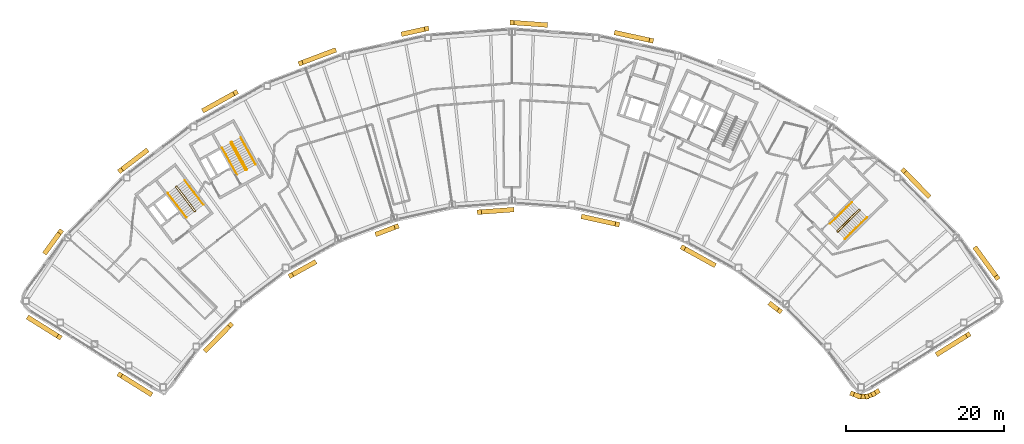
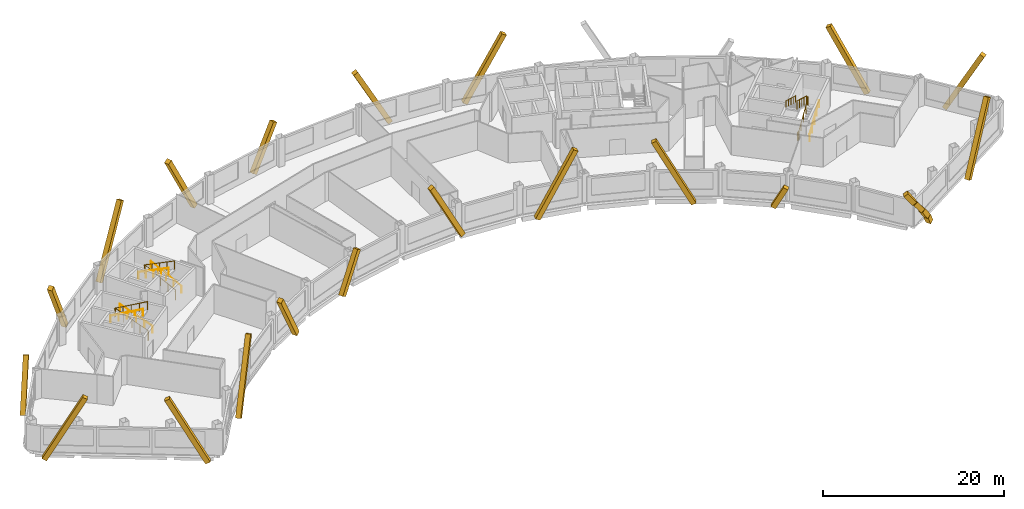
# One storey, part 12 of 13: 23 coverings, 9 railings.
"""IFC4 building model written with IfcOpenShell, lengths in metres."""

from ifc_helpers import new_model, si_unit, direction, frame, origin, origin_2d, place, context, subcontext, project, spatial, rectangle, circle, extrude, material, material_profile, profile_set, type_object, element, save


model = new_model("IFC4")

# Units and contexts
model_context = context("Model", 3, precision=1e-05, world=origin(), true_north=direction((0.0, 1.0)))
body_context = subcontext(model_context, "Body", "Model", "MODEL_VIEW")
ifc_project = project(units=[si_unit("LENGTHUNIT", "METRE"), si_unit("AREAUNIT", "SQUARE_METRE"), si_unit("VOLUMEUNIT", "CUBIC_METRE"), si_unit("PLANEANGLEUNIT", "RADIAN"), si_unit("MASSUNIT", "GRAM", prefix="KILO")], contexts=[model_context])

# Site, building, storey
site_placement = place(None, origin())
site = spatial("IfcSite", under=ifc_project, at=site_placement, CompositionType="ELEMENT")
building_placement = place(site_placement, origin())
building = spatial("IfcBuilding", under=site, at=building_placement, Name="Tuul Gate Civic Tower", CompositionType="ELEMENT")
storey_placement = place(building_placement, frame((0.0, 0.0, 302.60009765625)))
storey = spatial("IfcBuildingStorey", under=building, at=storey_placement, Name="Level 68", CompositionType="ELEMENT", Elevation=302.60009765625)

# Railings
ifc_material_1 = material(Name="Painted steel", Category="steel")
railing_type_1 = type_object("IfcRailingType", Name="Stair guard", PredefinedType="GUARDRAIL", material=ifc_material_1)
railing_1_placement = place(storey_placement, frame((-33.382080078125, -13.515380859375, 0.0)))
element("IfcRailing", 1, at=railing_1_placement, inside=storey, type_object=railing_type_1, Name="Level 68 ST-1 stair guard 1", PredefinedType="GUARDRAIL", context=body_context, shape_type="SweptSolid", body=[
    extrude(circle(Radius=0.02392578125, at=origin_2d()), frame((0.0, 0.0, 1.076171875), z_axis=(-0.795879841968, -0.605454603706, 0.0), x_axis=(0.605454603706, -0.795879841968, 0.0)), (0.0, 0.0, 1.0), 0.10009765625),
    extrude(circle(Radius=0.02392578125, at=origin_2d()), frame((-0.07958984375, -0.060546875, 1.076171875), z_axis=(0.408991890351, 0.599481263939, 0.688002796371), x_axis=(-0.826063974707, 0.563576356576, 0.0)), (0.0, 0.0, 1.0), 0.2177734375),
    extrude(circle(Radius=0.02392578125, at=origin_2d()), frame((0.009521484375, 0.070068359375, 1.22607421875), z_axis=(-0.541824460341, 0.711645023348, 0.447199748346), x_axis=(-0.795637165283, -0.60577347352, 0.0)), (0.0, 0.0, 1.0), 4.3603515625),
    extrude(circle(Radius=0.02392578125, at=origin_2d()), frame((-2.35302734375, 3.173095703125, 3.17578125), z_axis=(-0.990893089246, 0.134650977284, 0.0), x_axis=(-0.134650977284, -0.990893089246, 0.0)), (0.0, 0.0, 1.0), 0.07080078125),
    extrude(circle(Radius=0.02392578125, at=origin_2d()), frame((-2.423095703125, 3.1826171875, 3.17578125), z_axis=(-0.793802879778, -0.60817512943, 0.0), x_axis=(0.60817512943, -0.793802879778, 0.0)), (0.0, 0.0, 1.0), 0.099853515625),
    extrude(circle(Radius=0.02392578125, at=origin_2d()), frame((-2.50244140625, 3.121826171875, 3.17578125), z_axis=(-0.057370624079, -0.422188951554, 0.904690610473), x_axis=(0.990893089246, -0.134650977284, 0.0)), (0.0, 0.0, 1.0), 0.166015625),
    extrude(circle(Radius=0.02392578125, at=origin_2d()), frame((-2.511962890625, 3.0517578125, 3.326171875), z_axis=(0.541806494602, -0.71163897684, 0.447231136047), x_axis=(0.795644365679, 0.605764016233, 0.0)), (0.0, 0.0, 1.0), 4.360107421875),
    extrude(circle(Radius=0.02099609375, at=origin_2d()), origin(), (0.0, 0.0, 1.0), 1.052001953125),
    extrude(circle(Radius=0.02099609375, at=origin_2d()), frame((-0.07958984375, -0.060546875, 0.0)), (0.0, 0.0, 1.0), 1.052001953125),
    extrude(circle(Radius=0.02099609375, at=origin_2d()), frame((0.009521484375, 0.070068359375, 0.14990234375)), (0.0, 0.0, 1.0), 1.052001953125),
    extrude(circle(Radius=0.02099609375, at=origin_2d()), frame((-0.5810546875, 0.845703125, 0.637451171875)), (0.0, 0.0, 1.0), 1.052001953125),
    extrude(circle(Radius=0.02099609375, at=origin_2d()), frame((-1.171875, 1.62158203125, 1.125)), (0.0, 0.0, 1.0), 1.052001953125),
    extrude(circle(Radius=0.02099609375, at=origin_2d()), frame((-1.762451171875, 2.3974609375, 1.6123046875)), (0.0, 0.0, 1.0), 1.052001953125),
    extrude(circle(Radius=0.02099609375, at=origin_2d()), frame((-2.35302734375, 3.173095703125, 2.099853515625)), (0.0, 0.0, 1.0), 1.052001953125),
    extrude(circle(Radius=0.02099609375, at=origin_2d()), frame((-2.423095703125, 3.1826171875, 2.099853515625)), (0.0, 0.0, 1.0), 1.052001953125),
    extrude(circle(Radius=0.02099609375, at=origin_2d()), frame((-2.50244140625, 3.121826171875, 2.099853515625)), (0.0, 0.0, 1.0), 1.052001953125),
    extrude(circle(Radius=0.02099609375, at=origin_2d()), frame((-2.511962890625, 3.0517578125, 2.25)), (0.0, 0.0, 1.0), 1.052001953125),
    extrude(circle(Radius=0.02099609375, at=origin_2d()), frame((-1.92138671875, 2.276123046875, 2.737548828125)), (0.0, 0.0, 1.0), 1.052001953125),
    extrude(circle(Radius=0.02099609375, at=origin_2d()), frame((-1.330810546875, 1.50048828125, 3.22509765625)), (0.0, 0.0, 1.0), 1.052001953125),
    extrude(circle(Radius=0.02099609375, at=origin_2d()), frame((-0.740234375, 0.724609375, 3.71240234375)), (0.0, 0.0, 1.0), 1.052001953125),
    extrude(circle(Radius=0.02099609375, at=origin_2d()), frame((-0.149658203125, -0.051025390625, 4.199951171875)), (0.0, 0.0, 1.0), 1.052001953125),
])
railing_2_placement = place(storey_placement, frame((-26.857666015625, -8.247314453125, 0.0)))
element("IfcRailing", 2, at=railing_2_placement, inside=storey, type_object=railing_type_1, Name="Level 68 ST-2 stair guard 1", PredefinedType="GUARDRAIL", context=body_context, shape_type="SweptSolid", body=[
    extrude(circle(Radius=0.02392578125, at=origin_2d()), frame((0.0, 0.0, 1.076171875), z_axis=(-0.874616555828, -0.48481530532, 0.0), x_axis=(0.48481530532, -0.874616555828, 0.0)), (0.0, 0.0, 1.0), 0.10009765625),
    extrude(circle(Radius=0.02392578125, at=origin_2d()), frame((-0.087646484375, -0.048583984375, 1.076171875), z_axis=(0.49081399482, 0.534516610797, 0.688036056665), x_axis=(-0.736576986774, 0.676353711126, 0.0)), (0.0, 0.0, 1.0), 0.2177734375),
    extrude(circle(Radius=0.02392578125, at=origin_2d()), frame((0.019287109375, 0.06787109375, 1.22607421875), z_axis=(-0.43354991378, 0.782327185242, 0.447212083348), x_axis=(-0.874667644053, -0.484723129681, 0.0)), (0.0, 0.0, 1.0), 4.3603515625),
    extrude(circle(Radius=0.02392578125, at=origin_2d()), frame((-1.87109375, 3.47900390625, 3.17578125), z_axis=(-0.961263487578, 0.275631107549, 0.0), x_axis=(-0.275631107549, -0.961263487578, 0.0)), (0.0, 0.0, 1.0), 0.07080078125),
    extrude(circle(Radius=0.02392578125, at=origin_2d()), frame((-1.939208984375, 3.49853515625, 3.17578125), z_axis=(-0.874042088414, -0.485850211157, 0.0), x_axis=(0.485850211157, -0.874042088414, 0.0)), (0.0, 0.0, 1.0), 0.10009765625),
    extrude(circle(Radius=0.02392578125, at=origin_2d()), frame((-2.026611328125, 3.449951171875, 3.17578125), z_axis=(-0.117709570447, -0.409040757305, 0.904892322815), x_axis=(0.961000426733, -0.276546885391, 0.0)), (0.0, 0.0, 1.0), 0.166015625),
    extrude(circle(Radius=0.02392578125, at=origin_2d()), frame((-2.046142578125, 3.382080078125, 3.326171875), z_axis=(0.433595379963, -0.782308193291, 0.447201226726), x_axis=(0.874641102302, 0.484771020343, 0.0)), (0.0, 0.0, 1.0), 4.3603515625),
    extrude(circle(Radius=0.02099609375, at=origin_2d()), origin(), (0.0, 0.0, 1.0), 1.052001953125),
    extrude(circle(Radius=0.02099609375, at=origin_2d()), frame((-0.087646484375, -0.048583984375, 0.0)), (0.0, 0.0, 1.0), 1.052001953125),
    extrude(circle(Radius=0.02099609375, at=origin_2d()), frame((0.019287109375, 0.06787109375, 0.14990234375)), (0.0, 0.0, 1.0), 1.052001953125),
    extrude(circle(Radius=0.02099609375, at=origin_2d()), frame((-0.453369140625, 0.920654296875, 0.637451171875)), (0.0, 0.0, 1.0), 1.052001953125),
    extrude(circle(Radius=0.02099609375, at=origin_2d()), frame((-0.92578125, 1.7734375, 1.125)), (0.0, 0.0, 1.0), 1.052001953125),
    extrude(circle(Radius=0.02099609375, at=origin_2d()), frame((-1.3984375, 2.626220703125, 1.6123046875)), (0.0, 0.0, 1.0), 1.052001953125),
    extrude(circle(Radius=0.02099609375, at=origin_2d()), frame((-1.87109375, 3.47900390625, 2.099853515625)), (0.0, 0.0, 1.0), 1.052001953125),
    extrude(circle(Radius=0.02099609375, at=origin_2d()), frame((-1.939208984375, 3.49853515625, 2.099853515625)), (0.0, 0.0, 1.0), 1.052001953125),
    extrude(circle(Radius=0.02099609375, at=origin_2d()), frame((-2.026611328125, 3.449951171875, 2.099853515625)), (0.0, 0.0, 1.0), 1.052001953125),
    extrude(circle(Radius=0.02099609375, at=origin_2d()), frame((-2.046142578125, 3.382080078125, 2.25)), (0.0, 0.0, 1.0), 1.052001953125),
    extrude(circle(Radius=0.02099609375, at=origin_2d()), frame((-1.573486328125, 2.529296875, 2.737548828125)), (0.0, 0.0, 1.0), 1.052001953125),
    extrude(circle(Radius=0.02099609375, at=origin_2d()), frame((-1.100830078125, 1.676513671875, 3.22509765625)), (0.0, 0.0, 1.0), 1.052001953125),
    extrude(circle(Radius=0.02099609375, at=origin_2d()), frame((-0.628173828125, 0.82373046875, 3.71240234375)), (0.0, 0.0, 1.0), 1.052001953125),
    extrude(circle(Radius=0.02099609375, at=origin_2d()), frame((-0.155517578125, -0.029052734375, 4.199951171875)), (0.0, 0.0, 1.0), 1.052001953125),
])
railing_3_placement = place(storey_placement, frame((48.10546875, -16.134765625, 0.0)))
element("IfcRailing", 3, at=railing_3_placement, inside=storey, type_object=railing_type_1, Name="Level 68 ST-3 stair guard 1", PredefinedType="GUARDRAIL", context=body_context, shape_type="SweptSolid", body=[
    extrude(circle(Radius=0.02392578125, at=origin_2d()), frame((0.0, 0.0, 1.076171875), z_axis=(-0.698506948293, 0.715603272202, 0.0), x_axis=(-0.715603272202, -0.698506948293, 0.0)), (0.0, 0.0, 1.0), 0.099853515625),
    extrude(circle(Radius=0.02392578125, at=origin_2d()), frame((-0.06982421875, 0.071533203125, 1.076171875), z_axis=(0.645446321009, -0.331687692741, 0.688027849131), x_axis=(0.457068866502, 0.889431307788, 0.0)), (0.0, 0.0, 1.0), 0.2177734375),
    extrude(circle(Radius=0.02392578125, at=origin_2d()), frame((0.07080078125, -0.000732421875, 1.22607421875), z_axis=(0.638731261263, 0.626133563701, 0.447190268558), x_axis=(-0.700029477518, 0.714113947914, 0.0)), (0.0, 0.0, 1.0), 4.3603515625),
    extrude(circle(Radius=0.02392578125, at=origin_2d()), frame((2.85595703125, 2.7294921875, 3.17578125), z_axis=(0.010380063588, 0.999946125689, 0.0), x_axis=(-0.999946125689, 0.010380063588, 0.0)), (0.0, 0.0, 1.0), 0.070556640625),
    extrude(circle(Radius=0.02392578125, at=origin_2d()), frame((2.856689453125, 2.800048828125, 3.17578125), z_axis=(-0.699754442181, 0.714383454909, 0.0), x_axis=(-0.714383454909, -0.699754442181, 0.0)), (0.0, 0.0, 1.0), 0.10009765625),
    extrude(circle(Radius=0.02392578125, at=origin_2d()), frame((2.78662109375, 2.87158203125, 3.17578125), z_axis=(-0.426501027327, 0.004412079593, 0.904476316574), x_axis=(-0.010344274102, -0.999946496565, 0.0)), (0.0, 0.0, 1.0), 0.166015625),
    extrude(circle(Radius=0.02392578125, at=origin_2d()), frame((2.7158203125, 2.872314453125, 3.326171875), z_axis=(-0.638731261263, -0.626133563701, 0.447190268558), x_axis=(0.700029477518, -0.714113947914, 0.0)), (0.0, 0.0, 1.0), 4.3603515625),
    extrude(circle(Radius=0.02099609375, at=origin_2d()), origin(), (0.0, 0.0, 1.0), 1.052001953125),
    extrude(circle(Radius=0.02099609375, at=origin_2d()), frame((-0.06982421875, 0.071533203125, 0.0)), (0.0, 0.0, 1.0), 1.052001953125),
    extrude(circle(Radius=0.02099609375, at=origin_2d()), frame((0.07080078125, -0.000732421875, 0.14990234375)), (0.0, 0.0, 1.0), 1.052001953125),
    extrude(circle(Radius=0.02099609375, at=origin_2d()), frame((0.76708984375, 0.681884765625, 0.637451171875)), (0.0, 0.0, 1.0), 1.052001953125),
    extrude(circle(Radius=0.02099609375, at=origin_2d()), frame((1.46337890625, 1.3642578125, 1.125)), (0.0, 0.0, 1.0), 1.052001953125),
    extrude(circle(Radius=0.02099609375, at=origin_2d()), frame((2.15966796875, 2.046875, 1.6123046875)), (0.0, 0.0, 1.0), 1.052001953125),
    extrude(circle(Radius=0.02099609375, at=origin_2d()), frame((2.85595703125, 2.7294921875, 2.099853515625)), (0.0, 0.0, 1.0), 1.052001953125),
    extrude(circle(Radius=0.02099609375, at=origin_2d()), frame((2.856689453125, 2.800048828125, 2.099853515625)), (0.0, 0.0, 1.0), 1.052001953125),
    extrude(circle(Radius=0.02099609375, at=origin_2d()), frame((2.78662109375, 2.87158203125, 2.099853515625)), (0.0, 0.0, 1.0), 1.052001953125),
    extrude(circle(Radius=0.02099609375, at=origin_2d()), frame((2.7158203125, 2.872314453125, 2.25)), (0.0, 0.0, 1.0), 1.052001953125),
    extrude(circle(Radius=0.02099609375, at=origin_2d()), frame((2.01953125, 2.189697265625, 2.737548828125)), (0.0, 0.0, 1.0), 1.052001953125),
    extrude(circle(Radius=0.02099609375, at=origin_2d()), frame((1.3232421875, 1.50732421875, 3.22509765625)), (0.0, 0.0, 1.0), 1.052001953125),
    extrude(circle(Radius=0.02099609375, at=origin_2d()), frame((0.626953125, 0.82470703125, 3.71240234375)), (0.0, 0.0, 1.0), 1.052001953125),
    extrude(circle(Radius=0.02099609375, at=origin_2d()), frame((-0.0693359375, 0.14208984375, 4.199951171875)), (0.0, 0.0, 1.0), 1.052001953125),
])
ifc_material_2 = material(Name="Painted steel", Category="steel")
railing_type_2 = type_object("IfcRailingType", Name="Stair handrail", PredefinedType="HANDRAIL", material=ifc_material_2)
railing_4_placement = place(storey_placement, frame((-32.3779296875, -12.688232421875, 0.14990234375)))
element("IfcRailing", 4, at=railing_4_placement, inside=storey, type_object=railing_type_2, Name="Level 68 ST-1 stair handrail 1", PredefinedType="HANDRAIL", context=body_context, shape_type="SweptSolid", body=[
    extrude(circle(Radius=0.02392578125, at=origin_2d()), frame((0.0, 0.0, 0.8759765625), z_axis=(-0.541824460341, 0.711645023348, 0.447199748346), x_axis=(-0.795637165283, -0.60577347352, 0.0)), (0.0, 0.0, 1.0), 4.3603515625),
    extrude(circle(Radius=0.02099609375, at=origin_2d()), origin(), (0.0, 0.0, 1.0), 0.851806640625),
    extrude(circle(Radius=0.02099609375, at=origin_2d()), frame((-0.590576171875, 0.77587890625, 0.487548828125)), (0.0, 0.0, 1.0), 0.851806640625),
    extrude(circle(Radius=0.02099609375, at=origin_2d()), frame((-1.18115234375, 1.551513671875, 0.97509765625)), (0.0, 0.0, 1.0), 0.851806640625),
    extrude(circle(Radius=0.02099609375, at=origin_2d()), frame((-1.77197265625, 2.3271484375, 1.46240234375)), (0.0, 0.0, 1.0), 0.851806640625),
    extrude(circle(Radius=0.02099609375, at=origin_2d()), frame((-2.362548828125, 3.10302734375, 1.949951171875)), (0.0, 0.0, 1.0), 0.851806640625),
])
railing_5_placement = place(storey_placement, frame((-36.888671875, -11.220703125, 2.25)))
element("IfcRailing", 5, at=railing_5_placement, inside=storey, type_object=railing_type_2, Name="Level 68 ST-1 stair handrail 2", PredefinedType="HANDRAIL", context=body_context, shape_type="SweptSolid", body=[
    extrude(circle(Radius=0.02392578125, at=origin_2d()), frame((0.0, 0.0, 0.8759765625), z_axis=(0.541824460341, -0.711645023348, 0.447199748346), x_axis=(0.795637165283, 0.60577347352, 0.0)), (0.0, 0.0, 1.0), 4.3603515625),
    extrude(circle(Radius=0.02099609375, at=origin_2d()), origin(), (0.0, 0.0, 1.0), 0.851806640625),
    extrude(circle(Radius=0.02099609375, at=origin_2d()), frame((0.590576171875, -0.77587890625, 0.487548828125)), (0.0, 0.0, 1.0), 0.851806640625),
    extrude(circle(Radius=0.02099609375, at=origin_2d()), frame((1.18115234375, -1.551513671875, 0.97509765625)), (0.0, 0.0, 1.0), 0.851806640625),
    extrude(circle(Radius=0.02099609375, at=origin_2d()), frame((1.77197265625, -2.3271484375, 1.46240234375)), (0.0, 0.0, 1.0), 0.851806640625),
    extrude(circle(Radius=0.02099609375, at=origin_2d()), frame((2.362548828125, -3.10302734375, 1.949951171875)), (0.0, 0.0, 1.0), 0.851806640625),
])
railing_6_placement = place(storey_placement, frame((-25.744873046875, -7.573486328125, 0.14990234375)))
element("IfcRailing", 6, at=railing_6_placement, inside=storey, type_object=railing_type_2, Name="Level 68 ST-2 stair handrail 1", PredefinedType="HANDRAIL", context=body_context, shape_type="SweptSolid", body=[
    extrude(circle(Radius=0.02392578125, at=origin_2d()), frame((0.0, 0.0, 0.8759765625), z_axis=(-0.433595379963, 0.782308193291, 0.447201226726), x_axis=(-0.874641102302, -0.484771020343, 0.0)), (0.0, 0.0, 1.0), 4.3603515625),
    extrude(circle(Radius=0.02099609375, at=origin_2d()), origin(), (0.0, 0.0, 1.0), 0.851806640625),
    extrude(circle(Radius=0.02099609375, at=origin_2d()), frame((-0.47265625, 0.852783203125, 0.487548828125)), (0.0, 0.0, 1.0), 0.851806640625),
    extrude(circle(Radius=0.02099609375, at=origin_2d()), frame((-0.9453125, 1.70556640625, 0.97509765625)), (0.0, 0.0, 1.0), 0.851806640625),
    extrude(circle(Radius=0.02099609375, at=origin_2d()), frame((-1.41796875, 2.558349609375, 1.46240234375)), (0.0, 0.0, 1.0), 0.851806640625),
    extrude(circle(Radius=0.02099609375, at=origin_2d()), frame((-1.890625, 3.4111328125, 1.949951171875)), (0.0, 0.0, 1.0), 0.851806640625),
])
railing_7_placement = place(storey_placement, frame((-29.9970703125, -5.47119140625, 2.25)))
element("IfcRailing", 7, at=railing_7_placement, inside=storey, type_object=railing_type_2, Name="Level 68 ST-2 stair handrail 2", PredefinedType="HANDRAIL", context=body_context, shape_type="SweptSolid", body=[
    extrude(circle(Radius=0.02392578125, at=origin_2d()), frame((0.0, 0.0, 0.8759765625), z_axis=(0.433595379963, -0.782308193291, 0.447201226726), x_axis=(0.874641102302, 0.484771020343, 0.0)), (0.0, 0.0, 1.0), 4.3603515625),
    extrude(circle(Radius=0.02099609375, at=origin_2d()), origin(), (0.0, 0.0, 1.0), 0.851806640625),
    extrude(circle(Radius=0.02099609375, at=origin_2d()), frame((0.47265625, -0.852783203125, 0.487548828125)), (0.0, 0.0, 1.0), 0.851806640625),
    extrude(circle(Radius=0.02099609375, at=origin_2d()), frame((0.9453125, -1.70556640625, 0.97509765625)), (0.0, 0.0, 1.0), 0.851806640625),
    extrude(circle(Radius=0.02099609375, at=origin_2d()), frame((1.41796875, -2.558349609375, 1.46240234375)), (0.0, 0.0, 1.0), 0.851806640625),
    extrude(circle(Radius=0.02099609375, at=origin_2d()), frame((1.890625, -3.4111328125, 1.949951171875)), (0.0, 0.0, 1.0), 0.851806640625),
])
railing_8_placement = place(storey_placement, frame((49.05126953125, -17.028076171875, 0.14990234375)))
element("IfcRailing", 8, at=railing_8_placement, inside=storey, type_object=railing_type_2, Name="Level 68 ST-3 stair handrail 1", PredefinedType="HANDRAIL", context=body_context, shape_type="SweptSolid", body=[
    extrude(circle(Radius=0.02392578125, at=origin_2d()), frame((0.0, 0.0, 0.8759765625), z_axis=(0.638753653487, 0.626099522554, 0.447205945863), x_axis=(-0.699997553204, 0.714145241186, 0.0)), (0.0, 0.0, 1.0), 4.3603515625),
    extrude(circle(Radius=0.02099609375, at=origin_2d()), origin(), (0.0, 0.0, 1.0), 0.851806640625),
    extrude(circle(Radius=0.02099609375, at=origin_2d()), frame((0.6962890625, 0.6826171875, 0.487548828125)), (0.0, 0.0, 1.0), 0.851806640625),
    extrude(circle(Radius=0.02099609375, at=origin_2d()), frame((1.392578125, 1.364990234375, 0.97509765625)), (0.0, 0.0, 1.0), 0.851806640625),
    extrude(circle(Radius=0.02099609375, at=origin_2d()), frame((2.0888671875, 2.04736328125, 1.46240234375)), (0.0, 0.0, 1.0), 0.851806640625),
    extrude(circle(Radius=0.02099609375, at=origin_2d()), frame((2.78515625, 2.72998046875, 1.949951171875)), (0.0, 0.0, 1.0), 0.851806640625),
])
railing_9_placement = place(storey_placement, frame((49.9462890625, -12.369873046875, 2.25)))
element("IfcRailing", 9, at=railing_9_placement, inside=storey, type_object=railing_type_2, Name="Level 68 ST-3 stair handrail 2", PredefinedType="HANDRAIL", context=body_context, shape_type="SweptSolid", body=[
    extrude(circle(Radius=0.02392578125, at=origin_2d()), frame((0.0, 0.0, 0.8759765625), z_axis=(-0.638753653487, -0.626099522554, 0.447205945863), x_axis=(0.699997553204, -0.714145241186, 0.0)), (0.0, 0.0, 1.0), 4.3603515625),
    extrude(circle(Radius=0.02099609375, at=origin_2d()), origin(), (0.0, 0.0, 1.0), 0.851806640625),
    extrude(circle(Radius=0.02099609375, at=origin_2d()), frame((-0.6962890625, -0.6826171875, 0.487548828125)), (0.0, 0.0, 1.0), 0.851806640625),
    extrude(circle(Radius=0.02099609375, at=origin_2d()), frame((-1.392578125, -1.364990234375, 0.97509765625)), (0.0, 0.0, 1.0), 0.851806640625),
    extrude(circle(Radius=0.02099609375, at=origin_2d()), frame((-2.0888671875, -2.04736328125, 1.46240234375)), (0.0, 0.0, 1.0), 0.851806640625),
    extrude(circle(Radius=0.02099609375, at=origin_2d()), frame((-2.78515625, -2.72998046875, 1.949951171875)), (0.0, 0.0, 1.0), 0.851806640625),
])

# Coverings
ifc_material_3 = material(Name="Terracotta baguette", Category="masonry")
ifc_material_profile = material_profile(ifc_material_3, rectangle(XDim=0.60009765625, YDim=0.60009765625, at=origin_2d()), Name="Terracotta baguette screen frame")
ifc_profile_set = profile_set([ifc_material_profile], Name="Terracotta baguette")
covering_type = type_object("IfcCoveringType", Name="Terracotta baguette screen frame", PredefinedType="CLADDING", material=ifc_profile_set)
covering_1_placement = place(storey_placement, frame((60.850341796875, -31.59228515625, -0.35009765625), z_axis=(0.402317058192, 0.251358609748, 0.880318030028), x_axis=(-0.529863185224, 0.848083135633, 0.0)))
element("IfcCovering", 10, at=covering_1_placement, inside=storey, type_object=covering_type, Name="Baguette 2", PredefinedType="CLADDING", context=body_context, shape_type="SweptSolid", body=[
    extrude(rectangle(XDim=0.60009765625, YDim=0.60009765625, at=origin_2d()), origin(), (0.0, 0.0, 1.0), 9.5419921875),
])
covering_2_placement = place(storey_placement, frame((68.348388671875, -21.952880859375, 8.0498046875), z_axis=(-0.281391306686, 0.385252694939, -0.878862499805), x_axis=(-0.807530403609, -0.589825946569, 0.0)))
element("IfcCovering", 11, at=covering_2_placement, inside=storey, type_object=covering_type, Name="Baguette 19", PredefinedType="CLADDING", context=body_context, shape_type="SweptSolid", body=[
    extrude(rectangle(XDim=0.60009765625, YDim=0.60009765625, at=origin_2d()), origin(), (0.0, 0.0, 1.0), 9.5576171875),
])
covering_3_placement = place(storey_placement, frame((56.481689453125, -8.357177734375, 7.88232421875), z_axis=(0.332622804511, -0.339329014659, -0.879896522171), x_axis=(0.714128280474, 0.70001485629, 0.0)))
element("IfcCovering", 12, at=covering_3_placement, inside=storey, type_object=covering_type, Name="Baguette 35", PredefinedType="CLADDING", context=body_context, shape_type="SweptSolid", body=[
    extrude(rectangle(XDim=0.60009765625, YDim=0.60009765625, at=origin_2d()), origin(), (0.0, 0.0, 1.0), 9.356201171875),
])
covering_4_placement = place(storey_placement, frame((24.470947265625, 8.139404296875, 8.0498046875), z_axis=(-0.464037985813, 0.102244357524, -0.879894788641), x_axis=(-0.215174921103, -0.976575523617, 0.0)))
element("IfcCovering", 13, at=covering_4_placement, inside=storey, type_object=covering_type, Name="Baguette 61", PredefinedType="CLADDING", context=body_context, shape_type="SweptSolid", body=[
    extrude(rectangle(XDim=0.60009765625, YDim=0.60009765625, at=origin_2d()), origin(), (0.0, 0.0, 1.0), 9.54638671875),
])
covering_5_placement = place(storey_placement, frame((6.7880859375, 10.43505859375, 7.5517578125), z_axis=(0.473928889478, -0.03433558122, -0.879893445583), x_axis=(0.072259413527, 0.997385871745, 0.0)))
element("IfcCovering", 14, at=covering_5_placement, inside=storey, type_object=covering_type, Name="Baguette 77", PredefinedType="CLADDING", context=body_context, shape_type="SweptSolid", body=[
    extrude(rectangle(XDim=0.60009765625, YDim=0.60009765625, at=origin_2d()), origin(), (0.0, 0.0, 1.0), 8.98046875),
])
covering_6_placement = place(storey_placement, frame((-4.034423828125, 9.651123046875, 5.255126953125), z_axis=(-0.464034911858, -0.102250177142, -0.879895733511), x_axis=(0.215187960952, -0.976572650376, 0.0)))
element("IfcCovering", 15, at=covering_6_placement, inside=storey, type_object=covering_type, Name="Baguette 84", PredefinedType="CLADDING", context=body_context, shape_type="SweptSolid", body=[
    extrude(rectangle(XDim=0.60009765625, YDim=0.60009765625, at=origin_2d()), origin(), (0.0, 0.0, 1.0), 6.370361328125),
])
for number, where, z_axis, x_axis, name in (
    (16, (-20.041748046875, 5.26953125, 8.0498046875), (0.444447097075, 0.168096597565, -0.879892216006), (-0.353758489664, 0.935336800832, 0.0), "Baguette 98"),
    (17, (-28.284423828125, 1.535400390625, 8.0498046875), (-0.415599156496, -0.23036842051, -0.879890750009), (0.484806475071, -0.874621450531, 0.0), "Baguette 103"),
):
    element("IfcCovering", number, at=place(storey_placement, frame(where, z_axis=z_axis, x_axis=x_axis)), inside=storey, type_object=covering_type, Name=name, PredefinedType="CLADDING", context=body_context, shape_type="SweptSolid", body=[
        extrude(rectangle(XDim=0.60009765625, YDim=0.60009765625, at=origin_2d()), origin(), (0.0, 0.0, 1.0), 9.546630859375),
    ])
covering_7_placement = place(storey_placement, frame((-42.905517578125, -8.357177734375, 7.220947265625), z_axis=(0.378051292812, 0.28785127331, -0.879897076059), x_axis=(-0.605793108402, 0.79562221551, 0.0)))
element("IfcCovering", 18, at=covering_7_placement, inside=storey, type_object=covering_type, Name="Baguette 119", PredefinedType="CLADDING", context=body_context, shape_type="SweptSolid", body=[
    extrude(rectangle(XDim=0.60009765625, YDim=0.60009765625, at=origin_2d()), origin(), (0.0, 0.0, 1.0), 8.6044921875),
])
covering_8_placement = place(storey_placement, frame((-50.501708984375, -16.105712890625, 5.585693359375), z_axis=(-0.281341633683, -0.385267780007, -0.878871789765), x_axis=(0.807590994458, -0.589742982723, 0.0)))
element("IfcCovering", 19, at=covering_8_placement, inside=storey, type_object=covering_type, Name="Baguette 126", PredefinedType="CLADDING", context=body_context, shape_type="SweptSolid", body=[
    extrude(rectangle(XDim=0.60009765625, YDim=0.60009765625, at=origin_2d()), origin(), (0.0, 0.0, 1.0), 6.75390625),
])
for number, where, z_axis, x_axis, name in (
    (20, (-50.657470703125, -29.478515625, 8.0498046875), (-0.402311882917, 0.25140654805, -0.880306705905), (-0.529940764372, -0.848034661, 0.0), "Baguette 151"),
    (21, (-42.979736328125, -34.27587890625, 8.0498046875), (0.402311882917, -0.25140654805, -0.880306705905), (0.529940764372, 0.848034661, 0.0), "Baguette 155"),
):
    element("IfcCovering", number, at=place(storey_placement, frame(where, z_axis=z_axis, x_axis=x_axis)), inside=storey, type_object=covering_type, Name=name, PredefinedType="CLADDING", context=body_context, shape_type="SweptSolid", body=[
        extrude(rectangle(XDim=0.60009765625, YDim=0.60009765625, at=origin_2d()), origin(), (0.0, 0.0, 1.0), 9.5419921875),
    ])
covering_9_placement = place(storey_placement, frame((-28.919677734375, -27.94580078125, 8.0498046875), z_axis=(-0.326307578482, -0.332890300317, -0.884707529176), x_axis=(0.714132313758, -0.700010741665, 0.0)))
element("IfcCovering", 22, at=covering_9_placement, inside=storey, type_object=covering_type, Name="Baguette 183", PredefinedType="CLADDING", context=body_context, shape_type="SweptSolid", body=[
    extrude(rectangle(XDim=0.60009765625, YDim=0.60009765625, at=origin_2d()), origin(), (0.0, 0.0, 1.0), 9.49462890625),
])
covering_10_placement = place(storey_placement, frame((-21.281005859375, -21.6796875, 6.06201171875), z_axis=(0.407721193209, 0.225991530506, -0.884698398748), x_axis=(-0.48478990003, 0.874630637943, 0.0)))
element("IfcCovering", 23, at=covering_10_placement, inside=storey, type_object=covering_type, Name="Baguette 191", PredefinedType="CLADDING", context=body_context, shape_type="SweptSolid", body=[
    extrude(rectangle(XDim=0.60009765625, YDim=0.60009765625, at=origin_2d()), origin(), (0.0, 0.0, 1.0), 7.247802734375),
])
covering_11_placement = place(storey_placement, frame((-7.8544921875, -15.459716796875, 4.5947265625), z_axis=(-0.436020798498, -0.164850981119, -0.884709001481), x_axis=(0.353648388587, -0.935378435314, 0.0)))
element("IfcCovering", 24, at=covering_11_placement, inside=storey, type_object=covering_type, Name="Baguette 209", PredefinedType="CLADDING", context=body_context, shape_type="SweptSolid", body=[
    extrude(rectangle(XDim=0.60009765625, YDim=0.60009765625, at=origin_2d()), origin(), (0.0, 0.0, 1.0), 5.589111328125),
])
covering_12_placement = place(storey_placement, frame((2.635498046875, -13.6279296875, 8.0498046875), z_axis=(0.46495333329, 0.033704947966, -0.884693378717), x_axis=(-0.072301313181, 0.997382835281, 0.0)))
element("IfcCovering", 25, at=covering_12_placement, inside=storey, type_object=covering_type, Name="Baguette 216", PredefinedType="CLADDING", context=body_context, shape_type="SweptSolid", body=[
    extrude(rectangle(XDim=0.60009765625, YDim=0.60009765625, at=origin_2d()), origin(), (0.0, 0.0, 1.0), 8.93115234375),
])
for number, where, z_axis, x_axis, name in (
    (26, (20.165771484375, -15.180908203125, 8.0498046875), (-0.455233015253, 0.100334343963, -0.884701034952), (-0.215236378617, -0.976561980276, 0.0), "Baguette 232"),
    (27, (28.490478515625, -18.150634765625, 8.0498046875), (0.407714066256, -0.225996400626, -0.884700439178), (0.484804374507, 0.87462261488, 0.0), "Baguette 238"),
):
    element("IfcCovering", number, at=place(storey_placement, frame(where, z_axis=z_axis, x_axis=x_axis)), inside=storey, type_object=covering_type, Name=name, PredefinedType="CLADDING", context=body_context, shape_type="SweptSolid", body=[
        extrude(rectangle(XDim=0.60009765625, YDim=0.60009765625, at=origin_2d()), origin(), (0.0, 0.0, 1.0), 9.49462890625),
    ])
covering_13_placement = place(storey_placement, frame((40.75830078125, -26.173828125, 2.343017578125), z_axis=(-0.370856598143, 0.282393183837, -0.884714345614), x_axis=(-0.605820279821, -0.795601526241, 0.0)))
element("IfcCovering", 28, at=covering_13_placement, inside=storey, type_object=covering_type, Name="Baguette 255", PredefinedType="CLADDING", context=body_context, shape_type="SweptSolid", body=[
    extrude(rectangle(XDim=0.60009765625, YDim=0.60009765625, at=origin_2d()), origin(), (0.0, 0.0, 1.0), 3.0439453125),
])
covering_14_placement = place(storey_placement, frame((49.9541015625, -36.667724609375, 4.611572265625), z_axis=(0.560354628182, -0.222027305506, -0.797938948971), x_axis=(0.368364368109, 0.929681500465, 0.0)))
element("IfcCovering", 29, at=covering_14_placement, inside=storey, type_object=covering_type, Name="Baguette 272", PredefinedType="CLADDING", context=body_context, shape_type="SweptSolid", body=[
    extrude(rectangle(XDim=0.60009765625, YDim=0.60009765625, at=origin_2d()), origin(), (0.0, 0.0, 1.0), 1.616455078125),
])
covering_15_placement = place(storey_placement, frame((50.85986328125, -37.026611328125, 3.32177734375), z_axis=(0.602560560846, -0.001663278838, -0.798071427891), x_axis=(0.002760340801, 0.999996190252, 0.0)))
element("IfcCovering", 30, at=covering_15_placement, inside=storey, type_object=covering_type, Name="Baguette 273", PredefinedType="CLADDING", context=body_context, shape_type="SweptSolid", body=[
    extrude(rectangle(XDim=0.60009765625, YDim=0.60009765625, at=origin_2d()), origin(), (0.0, 0.0, 1.0), 1.614501953125),
])
covering_16_placement = place(storey_placement, frame((51.832763671875, -37.029296875, 2.033203125), z_axis=(0.534027838207, 0.207867231209, -0.819515394736), x_axis=(-0.362733847194, 0.93189278144, 0.0)))
element("IfcCovering", 31, at=covering_16_placement, inside=storey, type_object=covering_type, Name="Baguette 274", PredefinedType="CLADDING", context=body_context, shape_type="SweptSolid", body=[
    extrude(rectangle(XDim=0.60009765625, YDim=0.60009765625, at=origin_2d()), origin(), (0.0, 0.0, 1.0), 1.57275390625),
])
covering_17_placement = place(storey_placement, frame((52.672607421875, -36.702392578125, 0.744384765625), z_axis=(0.402352266006, 0.251347438013, -0.880305128603), x_axis=(-0.52981289744, 0.848114552231, 0.0)))
element("IfcCovering", 32, at=covering_17_placement, inside=storey, type_object=covering_type, Name="Baguette 275", PredefinedType="CLADDING", context=body_context, shape_type="SweptSolid", body=[
    extrude(rectangle(XDim=0.60009765625, YDim=0.60009765625, at=origin_2d()), origin(), (0.0, 0.0, 1.0), 1.243408203125),
])

save(model, "model.ifc")
